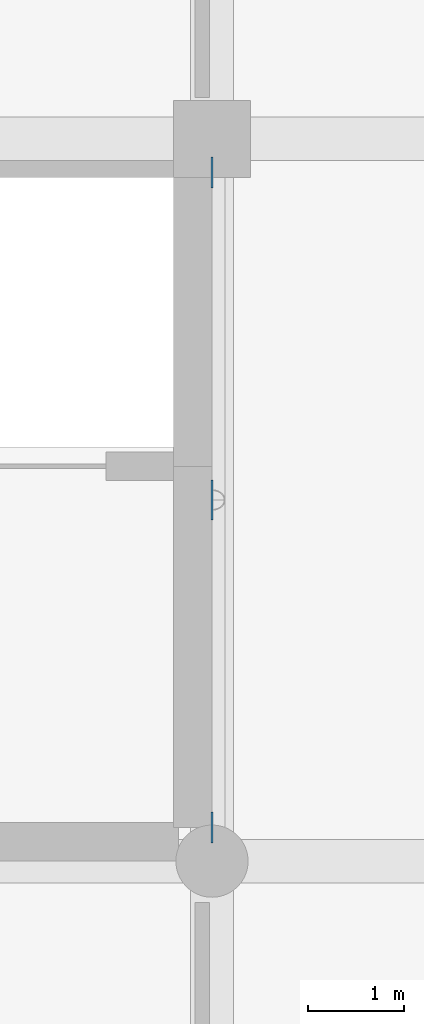
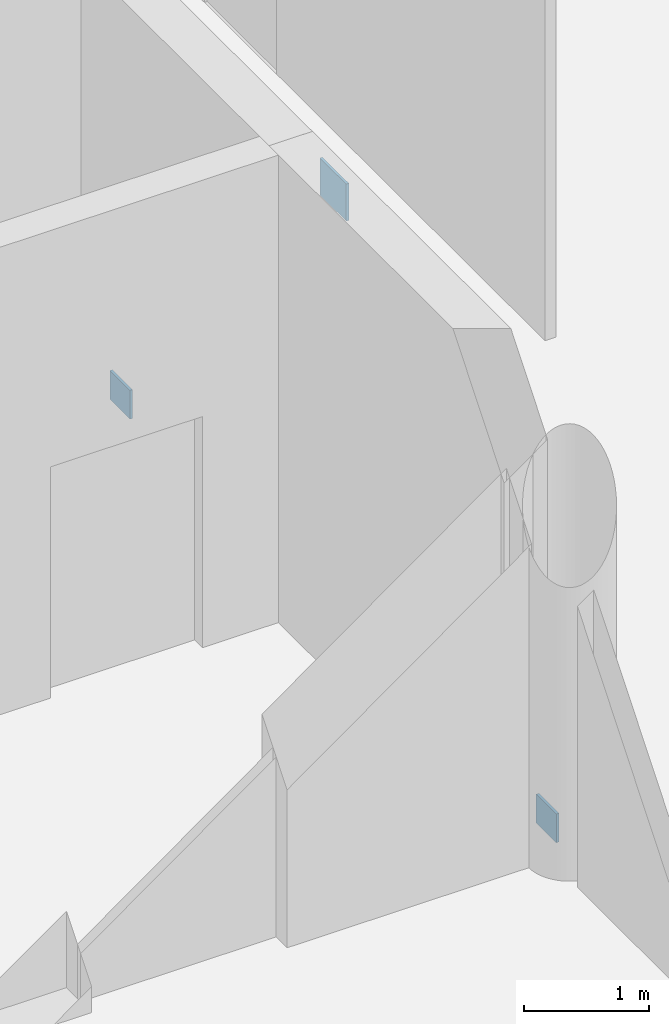
# One storey, part 94 of 131: 3 plates.
"""IFC4 building model written with IfcOpenShell, lengths in metres."""

from ifc_helpers import new_model, si_unit, direction, frame, origin, origin_2d, place, context, subcontext, project, spatial, rectangle, extrude, material, layer, layer_set, type_object, element, save


model = new_model("IFC4")

# Units and contexts
model_context = context("Model", 3, precision=1e-05, world=origin(), true_north=direction((0.0, 1.0)))
body_context = subcontext(model_context, "Body", "Model", "MODEL_VIEW")
ifc_project = project(units=[si_unit("LENGTHUNIT", "METRE"), si_unit("AREAUNIT", "SQUARE_METRE"), si_unit("VOLUMEUNIT", "CUBIC_METRE"), si_unit("PLANEANGLEUNIT", "RADIAN"), si_unit("MASSUNIT", "GRAM", prefix="KILO")], contexts=[model_context])

# Site, building, storey
site_placement = place(None, origin())
site = spatial("IfcSite", under=ifc_project, at=site_placement, CompositionType="ELEMENT")
building_placement = place(site_placement, origin())
building = spatial("IfcBuilding", under=site, at=building_placement, Name="Dalvernix Boulevard General Hospital", CompositionType="ELEMENT")
storey_placement = place(building_placement, frame((0.0, 0.0, 9.300048828125)))
storey = spatial("IfcBuildingStorey", under=building, at=storey_placement, Name="L02", CompositionType="ELEMENT", Elevation=9.300048828125)

# Plates
ifc_material = material(Name="Steel S355", Category="steel")
ifc_layer = layer(ifc_material, 0.02392578125)
ifc_layer_set = layer_set([ifc_layer], Name="Steel S355 (PLT-NP-02)")
plate_type = type_object("IfcPlateType", Name="PLT-NP-02", PredefinedType="SHEET", material=ifc_layer_set)
plate_placement = place(storey_placement, frame((15.0, 11.25, 4.02001953125), z_axis=(0.0, 0.0, 1.0), x_axis=(0.0, 1.0, 0.0)))
element("IfcPlate", 1, at=plate_placement, inside=storey, type_object=plate_type, Name="L02 brace apex gusset plate 1", PredefinedType="SHEET", context=body_context, shape_type="SweptSolid", body=[
    extrude(rectangle(XDim=0.419921875, YDim=0.02392578125, at=origin_2d()), origin(), (0.0, 0.0, 1.0), 0.360107421875),
])
for number, where, z_axis, x_axis, name in (
    (2, (15.0, 7.85009765625, 0.0), (0.0, 0.0, 1.0), (0.0, 1.0, 0.0), "L02 brace base gusset plate 1S"),
    (3, (15.0, 14.64990234375, 0.0), (0.0, 0.0, 1.0), (0.0, 1.0, 0.0), "L02 brace base gusset plate 1N"),
):
    element("IfcPlate", number, at=place(storey_placement, frame(where, z_axis=z_axis, x_axis=x_axis)), inside=storey, type_object=plate_type, Name=name, PredefinedType="SHEET", context=body_context, shape_type="SweptSolid", body=[
        extrude(rectangle(XDim=0.320068359375, YDim=0.02392578125, at=origin_2d()), origin(), (0.0, 0.0, 1.0), 0.280029296875),
    ])

save(model, "model.ifc")
